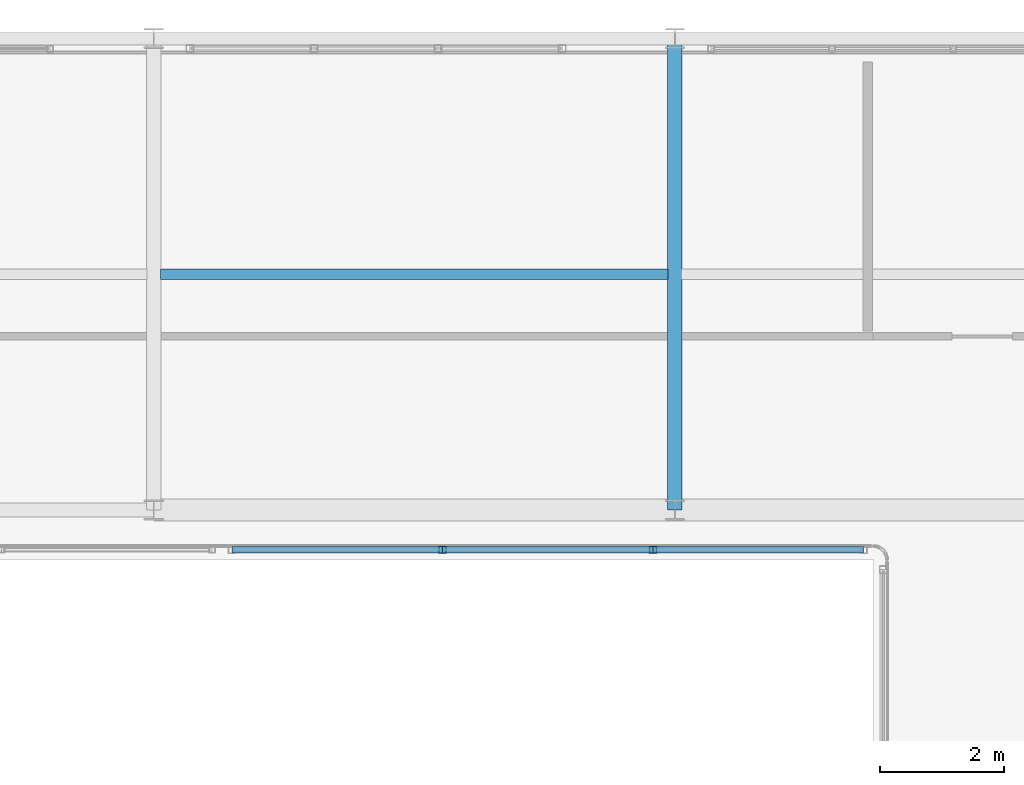
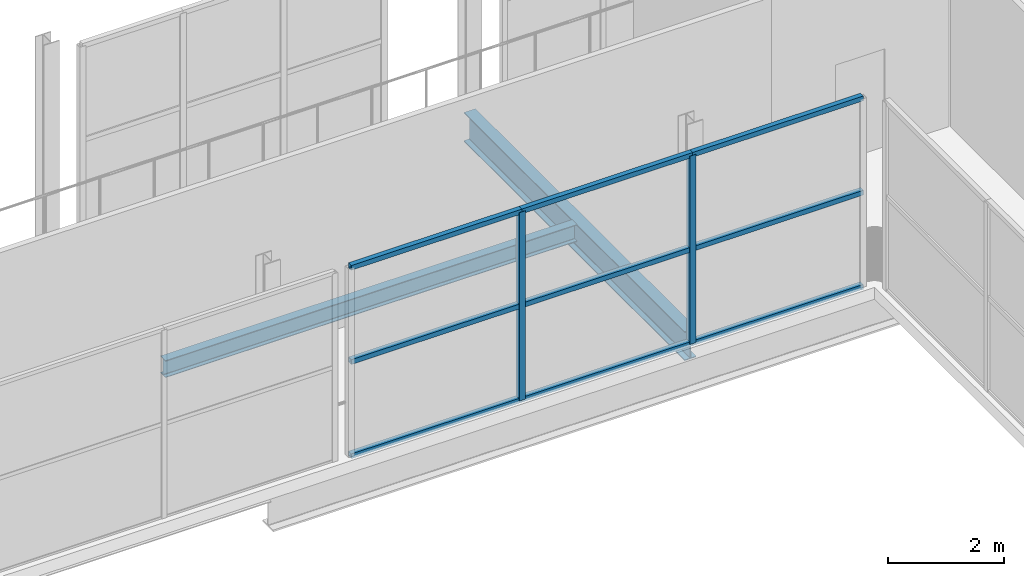
# One storey, part 100 of 151: 11 members, 2 beams, 1 element without a shape of its own.
"""IFC4 building model written with IfcOpenShell, lengths in metres."""

from ifc_helpers import new_model, si_unit, direction, frame, origin, origin_2d, place, context, subcontext, project, spatial, hollow_rectangle, i_section, extrude, material, material_profile, profile_set, type_object, element, aggregate, save


model = new_model("IFC4")

# Units and contexts
model_context = context("Model", 3, precision=1e-05, world=origin(), true_north=direction((0.0, 1.0)))
body_context = subcontext(model_context, "Body", "Model", "MODEL_VIEW")
ifc_project = project(units=[si_unit("LENGTHUNIT", "METRE"), si_unit("AREAUNIT", "SQUARE_METRE"), si_unit("VOLUMEUNIT", "CUBIC_METRE"), si_unit("PLANEANGLEUNIT", "RADIAN"), si_unit("MASSUNIT", "GRAM", prefix="KILO")], contexts=[model_context])

# Site, building, storey
site_placement = place(None, origin())
site = spatial("IfcSite", under=ifc_project, at=site_placement, CompositionType="ELEMENT")
building_placement = place(site_placement, origin())
building = spatial("IfcBuilding", under=site, at=building_placement, Name="Zuvorla Pavilion Media Centre", CompositionType="ELEMENT")
storey_placement = place(building_placement, frame((0.0, 0.0, 13.800048828125)))
storey = spatial("IfcBuildingStorey", under=building, at=storey_placement, Name="L03", CompositionType="ELEMENT", Elevation=13.800048828125)

# Beams
ifc_material_1 = material(Name="Steel S355", Category="steel")
ifc_material_profile_1 = material_profile(ifc_material_1, i_section(OverallWidth=0.172119140625, OverallDepth=0.35791015625, WebThickness=0.008056640625, FlangeThickness=0.012939453125, FilletRadius=0.01025390625, at=origin_2d()), Name="UB 356x171x57")
ifc_profile_set_1 = profile_set([ifc_material_profile_1], Name="Steel S355")
beam_type_1 = type_object("IfcBeamType", Name="BM-UB356", PredefinedType="JOIST", material=ifc_profile_set_1)
beam_1_placement = place(storey_placement, frame((142.509521484375, 85.800048828125, -0.43701171875), z_axis=(1.0, 0.0, 0.0), x_axis=(0.0, 1.0, 0.0)))
element("IfcBeam", 1, at=beam_1_placement, inside=storey, type_object=beam_type_1, Name="L03 joist J03 1286", PredefinedType="JOIST", context=body_context, shape_type="SweptSolid", body=[
    extrude(i_section(OverallWidth=0.172119140625, OverallDepth=0.35791015625, WebThickness=0.008056640625, FlangeThickness=0.012939453125, FilletRadius=0.01025390625, at=origin_2d()), origin(), (0.0, 0.0, 1.0), 8.180908203125),
])
ifc_material_profile_2 = material_profile(ifc_material_1, i_section(OverallWidth=0.22900390625, OverallDepth=0.6123046875, WebThickness=0.011962890625, FlangeThickness=0.01953125, FilletRadius=0.0126953125, at=origin_2d()), Name="UB 610x229x125")
ifc_profile_set_2 = profile_set([ifc_material_profile_2], Name="Steel S355")
beam_type_2 = type_object("IfcBeamType", Name="BM-UB610", PredefinedType="BEAM", material=ifc_profile_set_2)
beam_2_placement = place(storey_placement, frame((150.800048828125, 82.0, -0.564208984375), z_axis=(0.0, 1.0, 0.0), x_axis=(-1.0, 0.0, 0.0)))
element("IfcBeam", 2, at=beam_2_placement, inside=storey, type_object=beam_type_2, Name="L03 beam B07 1221", PredefinedType="BEAM", context=body_context, shape_type="SweptSolid", body=[
    extrude(i_section(OverallWidth=0.22900390625, OverallDepth=0.6123046875, WebThickness=0.011962890625, FlangeThickness=0.01953125, FilletRadius=0.0126953125, at=origin_2d()), origin(), (0.0, 0.0, 1.0), 7.60009765625),
])

# Curtain wall, members
ifc_material_2 = material(Name="Unitised anodised aluminium and solar glass curtain wall", Category="aluminium")
curtain_wall_type = type_object("IfcCurtainWallType", Name="CW-SYS-35", PredefinedType="USERDEFINED", material=ifc_material_2)
curtain_wall_placement = place(storey_placement, origin())
curtain_wall = element("IfcCurtainWall", 3, at=curtain_wall_placement, inside=storey, type_object=curtain_wall_type, Name="L03 curtain wall CW35 185", ObjectType="CURTAIN WALL", PredefinedType="USERDEFINED")
ifc_material_3 = material(Name="Anodised aluminium 6063-T6", Category="aluminium")
ifc_material_profile_3 = material_profile(ifc_material_3, hollow_rectangle(XDim=0.1201171875, YDim=0.1201171875, WallThickness=0.0048828125, at=origin_2d()), Name="ALU MULL 120x120")
ifc_profile_set_3 = profile_set([ifc_material_profile_3], Name="Anodised aluminium 6063-T6")
member_type_1 = type_object("IfcMemberType", Name="CW-MULL-120", PredefinedType="MULLION", material=ifc_profile_set_3)
member_1_placement = place(storey_placement, frame((150.44677734375, 81.360107421875, 0.0), z_axis=(0.0, 0.0, 1.0), x_axis=(1.0, 0.0, 0.0)))
member_1 = element("IfcMember", 4, at=member_1_placement, type_object=member_type_1, Name="CW35 mullion 2", PredefinedType="MULLION", context=body_context, shape_type="SweptSolid", body=[
    extrude(hollow_rectangle(XDim=0.1201171875, YDim=0.1201171875, WallThickness=0.0048828125, at=origin_2d()), origin(), (0.0, 0.0, 1.0), 3.9599609375),
])
member_2_placement = place(storey_placement, frame((147.05322265625, 81.360107421875, 0.0), z_axis=(0.0, 0.0, 1.0), x_axis=(1.0, 0.0, 0.0)))
member_2 = element("IfcMember", 5, at=member_2_placement, type_object=member_type_1, Name="CW35 mullion 3", PredefinedType="MULLION", context=body_context, shape_type="SweptSolid", body=[
    extrude(hollow_rectangle(XDim=0.1201171875, YDim=0.1201171875, WallThickness=0.0048828125, at=origin_2d()), origin(), (0.0, 0.0, 1.0), 3.9599609375),
])
ifc_material_profile_4 = material_profile(ifc_material_3, hollow_rectangle(XDim=0.10009765625, YDim=0.10009765625, WallThickness=0.00439453125, at=origin_2d()), Name="ALU TRAN 100x100")
ifc_profile_set_4 = profile_set([ifc_material_profile_4], Name="Anodised aluminium 6063-T6")
member_type_2 = type_object("IfcMemberType", Name="CW-TRAN-100", PredefinedType="USERDEFINED", material=ifc_profile_set_4)
member_3_placement = place(storey_placement, frame((153.840087890625, 81.360107421875, 0.0), z_axis=(-1.0, 0.0, 0.0), x_axis=(0.0, -1.0, 0.0)))
member_3 = element("IfcMember", 6, at=member_3_placement, type_object=member_type_2, Name="CW35 transom 1.1", ObjectType="TRANSOM", PredefinedType="USERDEFINED", context=body_context, shape_type="SweptSolid", body=[
    extrude(hollow_rectangle(XDim=0.10009765625, YDim=0.10009765625, WallThickness=0.00439453125, at=origin_2d()), origin(), (0.0, 0.0, 1.0), 3.393310546875),
])
member_4_placement = place(storey_placement, frame((153.840087890625, 81.360107421875, 1.97998046875), z_axis=(-1.0, 0.0, 0.0), x_axis=(0.0, -1.0, 0.0)))
member_4 = element("IfcMember", 7, at=member_4_placement, type_object=member_type_2, Name="CW35 transom 1.2", ObjectType="TRANSOM", PredefinedType="USERDEFINED", context=body_context, shape_type="SweptSolid", body=[
    extrude(hollow_rectangle(XDim=0.10009765625, YDim=0.10009765625, WallThickness=0.00439453125, at=origin_2d()), origin(), (0.0, 0.0, 1.0), 3.393310546875),
])
member_5_placement = place(storey_placement, frame((153.840087890625, 81.360107421875, 3.9599609375), z_axis=(-1.0, 0.0, 0.0), x_axis=(0.0, -1.0, 0.0)))
member_5 = element("IfcMember", 8, at=member_5_placement, type_object=member_type_2, Name="CW35 transom 1.3", ObjectType="TRANSOM", PredefinedType="USERDEFINED", context=body_context, shape_type="SweptSolid", body=[
    extrude(hollow_rectangle(XDim=0.10009765625, YDim=0.10009765625, WallThickness=0.00439453125, at=origin_2d()), origin(), (0.0, 0.0, 1.0), 3.393310546875),
])
member_6_placement = place(storey_placement, frame((150.44677734375, 81.360107421875, 0.0), z_axis=(-1.0, 0.0, 0.0), x_axis=(0.0, -1.0, 0.0)))
member_6 = element("IfcMember", 9, at=member_6_placement, type_object=member_type_2, Name="CW35 transom 2.1", ObjectType="TRANSOM", PredefinedType="USERDEFINED", context=body_context, shape_type="SweptSolid", body=[
    extrude(hollow_rectangle(XDim=0.10009765625, YDim=0.10009765625, WallThickness=0.00439453125, at=origin_2d()), origin(), (0.0, 0.0, 1.0), 3.3935546875),
])
member_7_placement = place(storey_placement, frame((150.44677734375, 81.360107421875, 1.97998046875), z_axis=(-1.0, 0.0, 0.0), x_axis=(0.0, -1.0, 0.0)))
member_7 = element("IfcMember", 10, at=member_7_placement, type_object=member_type_2, Name="CW35 transom 2.2", ObjectType="TRANSOM", PredefinedType="USERDEFINED", context=body_context, shape_type="SweptSolid", body=[
    extrude(hollow_rectangle(XDim=0.10009765625, YDim=0.10009765625, WallThickness=0.00439453125, at=origin_2d()), origin(), (0.0, 0.0, 1.0), 3.3935546875),
])
member_8_placement = place(storey_placement, frame((150.44677734375, 81.360107421875, 3.9599609375), z_axis=(-1.0, 0.0, 0.0), x_axis=(0.0, -1.0, 0.0)))
member_8 = element("IfcMember", 11, at=member_8_placement, type_object=member_type_2, Name="CW35 transom 2.3", ObjectType="TRANSOM", PredefinedType="USERDEFINED", context=body_context, shape_type="SweptSolid", body=[
    extrude(hollow_rectangle(XDim=0.10009765625, YDim=0.10009765625, WallThickness=0.00439453125, at=origin_2d()), origin(), (0.0, 0.0, 1.0), 3.3935546875),
])
member_9_placement = place(storey_placement, frame((147.05322265625, 81.360107421875, 0.0), z_axis=(-1.0, 0.0, 0.0), x_axis=(0.0, -1.0, 0.0)))
member_9 = element("IfcMember", 12, at=member_9_placement, type_object=member_type_2, Name="CW35 transom 3.1", ObjectType="TRANSOM", PredefinedType="USERDEFINED", context=body_context, shape_type="SweptSolid", body=[
    extrude(hollow_rectangle(XDim=0.10009765625, YDim=0.10009765625, WallThickness=0.00439453125, at=origin_2d()), origin(), (0.0, 0.0, 1.0), 3.393310546875),
])
member_10_placement = place(storey_placement, frame((147.05322265625, 81.360107421875, 1.97998046875), z_axis=(-1.0, 0.0, 0.0), x_axis=(0.0, -1.0, 0.0)))
member_10 = element("IfcMember", 13, at=member_10_placement, type_object=member_type_2, Name="CW35 transom 3.2", ObjectType="TRANSOM", PredefinedType="USERDEFINED", context=body_context, shape_type="SweptSolid", body=[
    extrude(hollow_rectangle(XDim=0.10009765625, YDim=0.10009765625, WallThickness=0.00439453125, at=origin_2d()), origin(), (0.0, 0.0, 1.0), 3.393310546875),
])
member_11_placement = place(storey_placement, frame((147.05322265625, 81.360107421875, 3.9599609375), z_axis=(-1.0, 0.0, 0.0), x_axis=(0.0, -1.0, 0.0)))
member_11 = element("IfcMember", 14, at=member_11_placement, type_object=member_type_2, Name="CW35 transom 3.3", ObjectType="TRANSOM", PredefinedType="USERDEFINED", context=body_context, shape_type="SweptSolid", body=[
    extrude(hollow_rectangle(XDim=0.10009765625, YDim=0.10009765625, WallThickness=0.00439453125, at=origin_2d()), origin(), (0.0, 0.0, 1.0), 3.393310546875),
])
aggregate(curtain_wall, [member_1, member_2, member_3, member_4, member_5, member_6, member_7, member_8, member_9, member_10, member_11])

save(model, "model.ifc")
